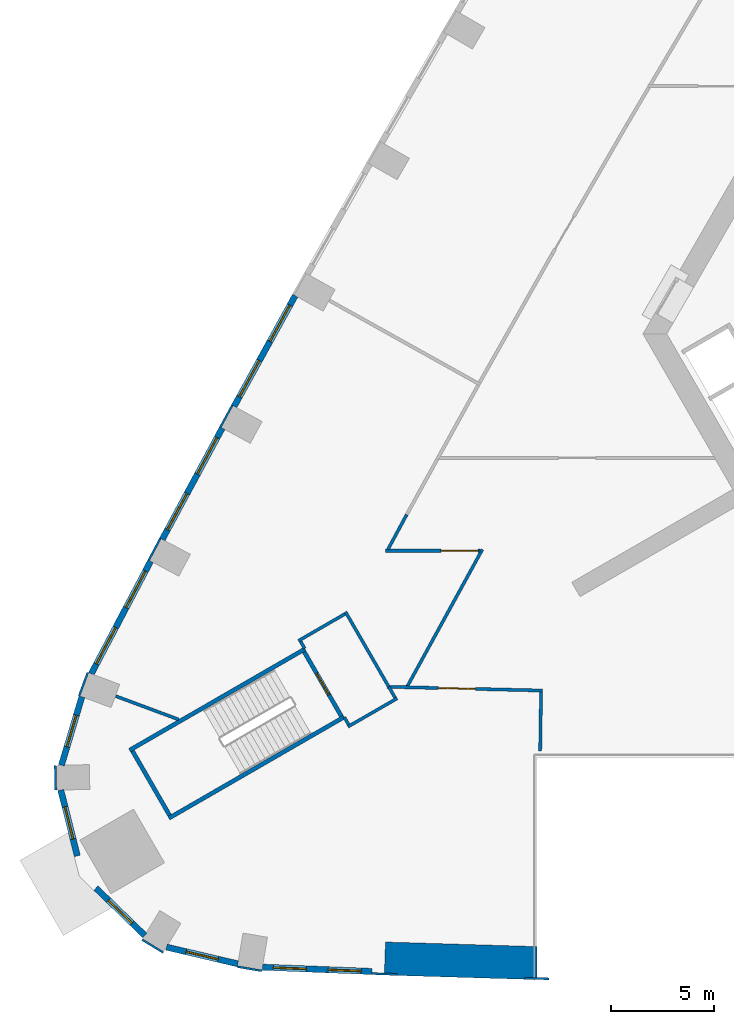
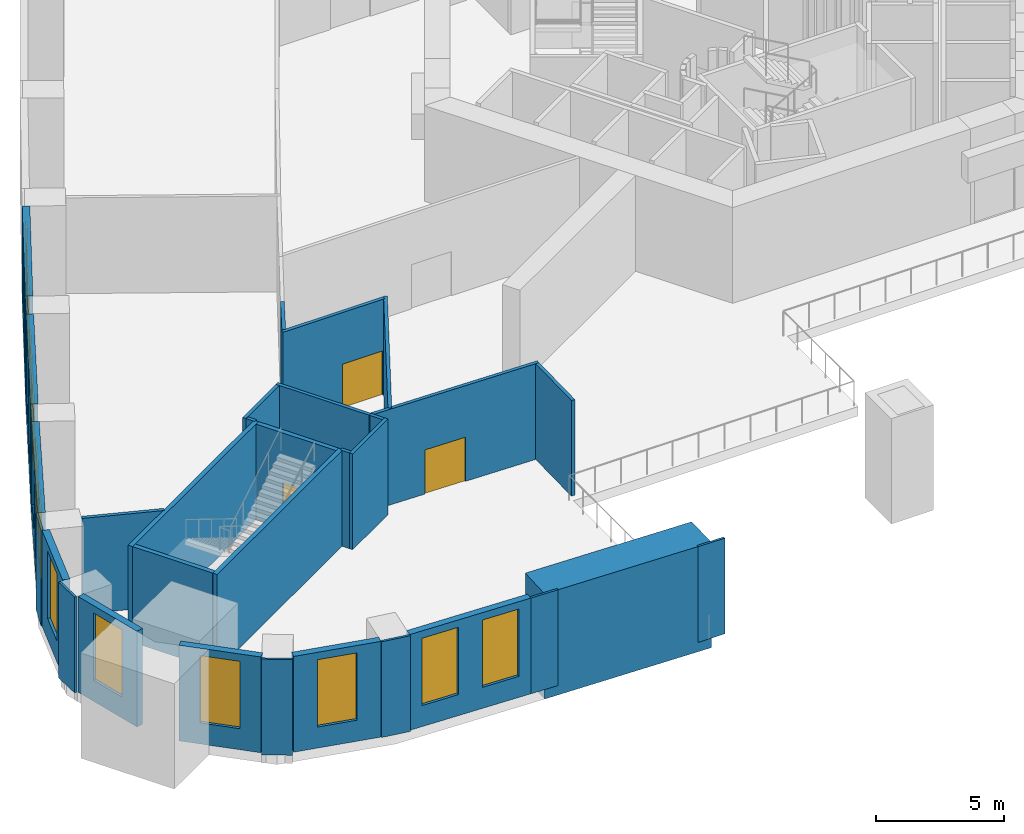
# One storey, part 2 of 16: 33 walls, 12 windows, 3 doors, 15 openings.
"""IFC4 building model written with IfcOpenShell, lengths in metres."""

from ifc_helpers import new_model, si_unit, direction, frame, frame_2d, origin, place, context, subcontext, project, spatial, polyline, rectangle, outline, extrude, material, layer, layer_set, type_object, element, fill, save


model = new_model("IFC4")

# Units and contexts
model_context = context("Model", 3, precision=1e-05, world=origin(), true_north=direction((0.0, 1.0)))
body_context = subcontext(model_context, "Body", "Model", "MODEL_VIEW")
ifc_project = project(units=[si_unit("LENGTHUNIT", "METRE"), si_unit("AREAUNIT", "SQUARE_METRE"), si_unit("VOLUMEUNIT", "CUBIC_METRE"), si_unit("PLANEANGLEUNIT", "RADIAN"), si_unit("MASSUNIT", "GRAM", prefix="KILO")], contexts=[model_context])

# Site, building, storey
site_placement = place(None, origin())
site = spatial("IfcSite", under=ifc_project, at=site_placement, CompositionType="ELEMENT")
building_placement = place(site_placement, origin())
building = spatial("IfcBuilding", under=site, at=building_placement, Name="Entoto Arch Interchange Tower", CompositionType="ELEMENT")
storey_placement = place(building_placement, frame((0.0, 0.0, 25.0)))
storey = spatial("IfcBuildingStorey", under=building, at=storey_placement, Name="L04", CompositionType="ELEMENT", Elevation=25.0)

# Walls
ifc_material_1 = material(Name="Concrete C60/75", Category="concrete")
ifc_layer_1 = layer(ifc_material_1, 1.60009765625)
ifc_layer_set_1 = layer_set([ifc_layer_1], Name="Concrete C60/75")
wall_type_1 = type_object("IfcWallType", Name="Arch leg wall 1600 C60/75", PredefinedType="SHEAR", material=ifc_layer_set_1)
wall_1_placement = place(storey_placement, frame((0.0, 0.0, -0.449951171875)))
element("IfcWall", 1, at=wall_1_placement, inside=storey, type_object=wall_type_1, Name="Arch leg W L04", PredefinedType="SHEAR", context=body_context, shape_type="SweptSolid", body=[
    extrude(outline(polyline([(-26.376953125, -28.5400390625), (-19.0, -28.761962890625), (-18.97607421875, -27.162109375), (-26.321044921875, -26.94091796875), (-26.376953125, -28.5400390625)])), origin(), (0.0, 0.0, 1.0), 5.0),
])
ifc_material_2 = material(Name="Gypsum board partition on steel studs", Category="steel")
ifc_layer_2 = layer(ifc_material_2, 0.14990234375)
ifc_layer_set_2 = layer_set([ifc_layer_2], Name="Gypsum board partition on steel studs")
wall_type_2 = type_object("IfcWallType", Name="PARTITION 150", PredefinedType="PARTITIONING", material=ifc_layer_set_2)
wall_2_placement = place(storey_placement, frame((-39.3779296875, -15.037109375, 0.0), z_axis=(0.0, 0.0, 1.0), x_axis=(0.937400028274, -0.348254485961, 0.0)))
element("IfcWall", 2, at=wall_2_placement, inside=storey, type_object=wall_type_2, Name="wall:L04:p032", PredefinedType="PARTITIONING", context=body_context, shape_type="SweptSolid", body=[
    extrude(rectangle(XDim=3.247314453125, YDim=0.14990234375, at=frame_2d((1.62353515625, 0.0))), origin(), (0.0, 0.0, 1.0), 4.550048828125),
])
wall_3_placement = place(storey_placement, frame((-28.30908203125, -16.06689453125, 0.0), z_axis=(0.0, 0.0, 1.0), x_axis=(0.499546646484, -0.86628698939, 0.0)))
element("IfcWall", 3, at=wall_3_placement, inside=storey, type_object=wall_type_2, Name="wall:L04:p033", PredefinedType="PARTITIONING", context=body_context, shape_type="SweptSolid", body=[
    extrude(rectangle(XDim=0.400634765625, YDim=0.14990234375, at=frame_2d((0.2001953125, 0.0))), origin(), (0.0, 0.0, 1.0), 4.550048828125),
])
wall_4_placement = place(storey_placement, frame((-28.136962890625, -16.51611328125, 0.0), z_axis=(0.0, 0.0, 1.0), x_axis=(0.866225489901, 0.499653280431, 0.0)))
element("IfcWall", 4, at=wall_4_placement, inside=storey, type_object=wall_type_2, Name="wall:L04:p034", PredefinedType="PARTITIONING", context=body_context, shape_type="SweptSolid", body=[
    extrude(rectangle(XDim=2.75, YDim=0.14990234375, at=frame_2d((1.375, 0.0))), origin(), (0.0, 0.0, 1.0), 4.550048828125),
])
wall_5_placement = place(storey_placement, frame((-25.85693359375, -15.114013671875, 0.0), z_axis=(0.0, 0.0, 1.0), x_axis=(-0.500357623318, 0.865818831389, 0.0)))
element("IfcWall", 5, at=wall_5_placement, inside=storey, type_object=wall_type_2, Name="wall:L04:p035", PredefinedType="PARTITIONING", context=body_context, shape_type="SweptSolid", body=[
    extrude(rectangle(XDim=0.60986328125, YDim=0.14990234375, at=frame_2d((0.304931640625, 0.0))), origin(), (0.0, 0.0, 1.0), 4.550048828125),
])

# Wall, opening, door
wall_6_placement = place(storey_placement, frame((-26.236083984375, -14.583984375, 0.0), z_axis=(0.0, 0.0, 1.0), x_axis=(0.999706920069, -0.024208964564, 0.0)))
wall_6 = element("IfcWall", 6, at=wall_6_placement, inside=storey, type_object=wall_type_2, Name="wall:L04:p036", PredefinedType="PARTITIONING", context=body_context, shape_type="SweptSolid", body=[
    extrude(rectangle(XDim=7.523193359375, YDim=0.14990234375, at=frame_2d((3.76171875, 0.0))), origin(), (0.0, 0.0, 1.0), 4.550048828125),
])
opening_1_placement = place(wall_6_placement, frame((2.468994140625, 0.0, 0.0)))
opening_1 = element("IfcOpeningElement", 7, at=opening_1_placement, cuts=wall_6, Name="Opening L04-D05", PredefinedType="OPENING", context=body_context, shape_type="SweptSolid", body=[
    extrude(rectangle(XDim=1.800048828125, YDim=2.10009765625, at=frame_2d((0.89990234375, 1.050048828125))), frame((0.0, 0.0849609375, 0.0), z_axis=(0.0, -1.0, 0.0), x_axis=(1.0, 0.0, 0.0)), (0.0, 0.0, 1.0), 0.169921875),
])
ifc_material_3 = material(Name="Timber door leaf in Steel S235 frame", Category="steel")
door_type_1 = type_object("IfcDoorType", Name="DOOR DD-18 1800x2100", OperationType="DOUBLE_DOOR_SINGLE_SWING", PredefinedType="DOOR", material=ifc_material_3)
door_1_placement = place(opening_1_placement, origin())
door_1 = element("IfcDoor", 8, at=door_1_placement, inside=storey, type_object=door_type_1, Name="door:L04:05", OperationType="DOUBLE_DOOR_SINGLE_SWING", OverallHeight=2.10009765625, OverallWidth=1.800048828125, PredefinedType="DOOR", context=body_context, shape_type="SweptSolid", body=[
    extrude(rectangle(XDim=1.800048828125, YDim=2.10009765625, at=frame_2d((0.89990234375, 1.050048828125))), frame((0.0, 0.02490234375, 0.0), z_axis=(0.0, -1.0, 0.0), x_axis=(1.0, 0.0, 0.0)), (0.0, 0.0, 1.0), 0.050048828125),
])
fill(opening_1, door_1)

# Walls
wall_7_placement = place(storey_placement, frame((-18.791015625, -14.839111328125, 0.0), z_axis=(0.0, 0.0, 1.0), x_axis=(-0.015017934076, -0.999887224469, 0.0)))
element("IfcWall", 9, at=wall_7_placement, inside=storey, type_object=wall_type_2, Name="wall:L04:p037", PredefinedType="PARTITIONING", context=body_context, shape_type="SweptSolid", body=[
    extrude(rectangle(XDim=2.861083984375, YDim=0.14990234375, at=frame_2d((1.4306640625, 0.0))), origin(), (0.0, 0.0, 1.0), 4.550048828125),
])
wall_8_placement = place(storey_placement, frame((-26.162109375, -14.5859375, 0.0), z_axis=(0.0, 0.0, 1.0), x_axis=(-0.500142678011, 0.865943012924, 0.0)))
element("IfcWall", 10, at=wall_8_placement, inside=storey, type_object=wall_type_2, Name="wall:L04:p076", PredefinedType="PARTITIONING", context=body_context, shape_type="SweptSolid", body=[
    extrude(rectangle(XDim=4.190673828125, YDim=0.14990234375, at=frame_2d((2.09521484375, 0.0))), origin(), (0.0, 0.0, 1.0), 4.550048828125),
])
wall_9_placement = place(storey_placement, frame((-28.284912109375, -11.05908203125, 0.0), z_axis=(0.0, 0.0, 1.0), x_axis=(-0.866108986466, -0.499855202596, 0.0)))
element("IfcWall", 11, at=wall_9_placement, inside=storey, type_object=wall_type_2, Name="wall:L04:p077", PredefinedType="PARTITIONING", context=body_context, shape_type="SweptSolid", body=[
    extrude(rectangle(XDim=2.600341796875, YDim=0.14990234375, at=frame_2d((1.30029296875, 0.0))), origin(), (0.0, 0.0, 1.0), 4.550048828125),
])
wall_10_placement = place(storey_placement, frame((-30.43408203125, -12.386962890625, 0.0), z_axis=(0.0, 0.0, 1.0), x_axis=(0.500867716848, -0.865523847285, 0.0)))
element("IfcWall", 12, at=wall_10_placement, inside=storey, type_object=wall_type_2, Name="wall:L04:p078", PredefinedType="PARTITIONING", context=body_context, shape_type="SweptSolid", body=[
    extrude(rectangle(XDim=0.399658203125, YDim=0.14990234375, at=frame_2d((0.19970703125, 0.0))), origin(), (0.0, 0.0, 1.0), 4.550048828125),
])
wall_11_placement = place(storey_placement, frame((-25.2939453125, -6.248046875, 0.0), z_axis=(0.0, 0.0, 1.0), x_axis=(-0.474533012185, -0.880237706728, 0.0)))
element("IfcWall", 13, at=wall_11_placement, inside=storey, type_object=wall_type_2, Name="wall:L04:p079", PredefinedType="PARTITIONING", context=body_context, shape_type="SweptSolid", body=[
    extrude(rectangle(XDim=1.91552734375, YDim=0.14990234375, at=frame_2d((0.957763671875, 0.0))), origin(), (0.0, 0.0, 1.0), 4.550048828125),
])

# Wall, opening, door
wall_12_placement = place(storey_placement, frame((-26.31396484375, -8.0, 0.0), z_axis=(0.0, 0.0, 1.0), x_axis=(1.0, 0.0, 0.0)))
wall_12 = element("IfcWall", 14, at=wall_12_placement, inside=storey, type_object=wall_type_2, Name="wall:L04:p080", PredefinedType="PARTITIONING", context=body_context, shape_type="SweptSolid", body=[
    extrude(rectangle(XDim=4.571044921875, YDim=0.14990234375, at=frame_2d((2.28564453125, 0.0))), origin(), (0.0, 0.0, 1.0), 4.550048828125),
])
opening_2_placement = place(wall_12_placement, frame((2.6708984375, 0.0, 0.0)))
opening_2 = element("IfcOpeningElement", 15, at=opening_2_placement, cuts=wall_12, Name="Opening L04-D13", PredefinedType="OPENING", context=body_context, shape_type="SweptSolid", body=[
    extrude(rectangle(XDim=1.800048828125, YDim=2.10009765625, at=frame_2d((0.89990234375, 1.050048828125))), frame((0.0, 0.0849609375, 0.0), z_axis=(0.0, -1.0, 0.0), x_axis=(1.0, 0.0, 0.0)), (0.0, 0.0, 1.0), 0.169921875),
])
door_2_placement = place(opening_2_placement, origin())
door_2 = element("IfcDoor", 16, at=door_2_placement, inside=storey, type_object=door_type_1, Name="door:L04:13", OperationType="DOUBLE_DOOR_SINGLE_SWING", OverallHeight=2.10009765625, OverallWidth=1.800048828125, PredefinedType="DOOR", context=body_context, shape_type="SweptSolid", body=[
    extrude(rectangle(XDim=1.800048828125, YDim=2.10009765625, at=frame_2d((0.89990234375, 1.050048828125))), frame((0.0, 0.02490234375, 0.0), z_axis=(0.0, -1.0, 0.0), x_axis=(1.0, 0.0, 0.0)), (0.0, 0.0, 1.0), 0.050048828125),
])
fill(opening_2, door_2)

# Walls
wall_13_placement = place(storey_placement, frame((-21.632080078125, -7.93408203125, 0.0), z_axis=(0.0, 0.0, 1.0), x_axis=(-0.480597861754, -0.876941101373, 0.0)))
element("IfcWall", 17, at=wall_13_placement, inside=storey, type_object=wall_type_2, Name="wall:L04:p081", PredefinedType="PARTITIONING", context=body_context, shape_type="SweptSolid", body=[
    extrude(rectangle(XDim=7.609130859375, YDim=0.14990234375, at=frame_2d((3.8046875, 0.0))), origin(), (0.0, 0.0, 1.0), 4.550048828125),
])
ifc_material_4 = material(Name="Concrete C40/50", Category="concrete")
ifc_layer_3 = layer(ifc_material_4, 0.199951171875)
ifc_layer_set_3 = layer_set([ifc_layer_3], Name="Concrete C40/50")
wall_type_3 = type_object("IfcWallType", Name="STAIR ENCLOSURE WALL 200", PredefinedType="STANDARD", material=ifc_layer_set_3)
for number, where, z_axis, x_axis, name in (
    (18, (-30.221923828125, -12.7548828125, 0.0), (0.0, 0.0, 1.0), (-0.866019227021, -0.500010698315, 0.0), "Stair wall PST-SW left"),
    (19, (-28.322021484375, -16.044921875, 0.0), (0.0, 0.0, 1.0), (-0.866019227021, -0.500010698315, 0.0), "Stair wall PST-SW right"),
):
    element("IfcWall", number, at=place(storey_placement, frame(where, z_axis=z_axis, x_axis=x_axis)), inside=storey, type_object=wall_type_3, Name=name, PredefinedType="STANDARD", context=body_context, shape_type="SweptSolid", body=[
        extrude(rectangle(XDim=9.800048828125, YDim=0.199951171875, at=frame_2d((4.89990234375, 0.0))), origin(), (0.0, 0.0, 1.0), 4.550048828125),
    ])

# Wall, opening, door
wall_14_placement = place(storey_placement, frame((-30.258056640625, -12.89111328125, 0.0), z_axis=(0.0, 0.0, 1.0), x_axis=(0.499982693035, -0.866035395735, 0.0)))
wall_14 = element("IfcWall", 20, at=wall_14_placement, inside=storey, type_object=wall_type_3, Name="Stair wall PST-SW near", PredefinedType="STANDARD", context=body_context, shape_type="SweptSolid", body=[
    extrude(rectangle(XDim=3.600341796875, YDim=0.199951171875, at=frame_2d((1.80029296875, 0.0))), origin(), (0.0, 0.0, 1.0), 4.550048828125),
])
opening_3_placement = place(wall_14_placement, frame((1.199951171875, 0.0, 0.0)))
opening_3 = element("IfcOpeningElement", 21, at=opening_3_placement, cuts=wall_14, Name="Opening SD-PST-SW-L04", PredefinedType="OPENING", context=body_context, shape_type="SweptSolid", body=[
    extrude(rectangle(XDim=1.199951171875, YDim=2.199951171875, at=frame_2d((0.60009765625, 1.10009765625))), frame((0.0, 0.10986328125, 0.0), z_axis=(0.0, -1.0, 0.0), x_axis=(1.0, 0.0, 0.0)), (0.0, 0.0, 1.0), 0.219970703125),
])
ifc_material_5 = material(Name="Steel S235", Category="steel")
door_type_2 = type_object("IfcDoorType", Name="STAIR DOOR SD2 1200x2200", OperationType="SINGLE_SWING_LEFT", PredefinedType="DOOR", material=ifc_material_5)
door_3_placement = place(opening_3_placement, origin())
door_3 = element("IfcDoor", 22, at=door_3_placement, inside=storey, type_object=door_type_2, Name="Stair door PST-SW L04", OperationType="SINGLE_SWING_LEFT", OverallHeight=2.199951171875, OverallWidth=1.199951171875, PredefinedType="DOOR", context=body_context, shape_type="SweptSolid", body=[
    extrude(rectangle(XDim=1.199951171875, YDim=2.199951171875, at=frame_2d((0.60009765625, 1.10009765625))), frame((0.0, 0.02490234375, 0.0), z_axis=(0.0, -1.0, 0.0), x_axis=(1.0, 0.0, 0.0)), (0.0, 0.0, 1.0), 0.050048828125),
])
fill(opening_3, door_3)

# Wall
wall_15_placement = place(storey_placement, frame((-38.572021484375, -17.69091796875, 0.0), z_axis=(0.0, 0.0, 1.0), x_axis=(0.49995333141, -0.866052346231, 0.0)))
element("IfcWall", 23, at=wall_15_placement, inside=storey, type_object=wall_type_3, Name="Stair wall PST-SW far", PredefinedType="STANDARD", context=body_context, shape_type="SweptSolid", body=[
    extrude(rectangle(XDim=3.600341796875, YDim=0.199951171875, at=frame_2d((1.80029296875, 0.0))), origin(), (0.0, 0.0, 1.0), 4.550048828125),
])

# Wall, openings, windows
ifc_material_6 = material(Name="Welded tuff (ignimbrite) cladding, warm buff", Category="masonry")
ifc_layer_4 = layer(ifc_material_6, 0.300048828125)
ifc_layer_set_4 = layer_set([ifc_layer_4], Name="Welded tuff (ignimbrite) cladding, warm buff")
wall_type_4 = type_object("IfcWallType", Name="STONE INFILL WALL 300", PredefinedType="STANDARD", material=ifc_layer_set_4)
wall_16_placement = place(storey_placement, frame((-32.281982421875, -28.158935546875, 0.0), z_axis=(0.0, 0.0, 1.0), x_axis=(0.999234205654, -0.039128023863, 0.0)))
wall_16 = element("IfcWall", 24, at=wall_16_placement, inside=storey, type_object=wall_type_4, Name="Facade wall S-01 L04", PredefinedType="STANDARD", context=body_context, shape_type="SweptSolid", body=[
    extrude(rectangle(XDim=5.316162109375, YDim=0.300048828125, at=frame_2d((2.658203125, 0.0))), origin(), (0.0, 0.0, 1.0), 4.550048828125),
])
opening_4_placement = place(wall_16_placement, frame((0.529052734375, 0.0, 1.0)))
opening_4 = element("IfcOpeningElement", 25, at=opening_4_placement, cuts=wall_16, Name="Opening WP-C", PredefinedType="OPENING", context=body_context, shape_type="SweptSolid", body=[
    extrude(rectangle(XDim=1.60009765625, YDim=3.199951171875, at=frame_2d((0.800048828125, 1.60009765625))), frame((0.0, 0.16015625, 0.0), z_axis=(0.0, -1.0, 0.0), x_axis=(1.0, 0.0, 0.0)), (0.0, 0.0, 1.0), 0.320068359375),
])
opening_5_placement = place(wall_16_placement, frame((3.18701171875, 0.0, 1.0)))
opening_5 = element("IfcOpeningElement", 26, at=opening_5_placement, cuts=wall_16, Name="Opening WP-C", PredefinedType="OPENING", context=body_context, shape_type="SweptSolid", body=[
    extrude(rectangle(XDim=1.60009765625, YDim=3.199951171875, at=frame_2d((0.800048828125, 1.60009765625))), frame((0.0, 0.16015625, 0.0), z_axis=(0.0, -1.0, 0.0), x_axis=(1.0, 0.0, 0.0)), (0.0, 0.0, 1.0), 0.320068359375),
])
ifc_material_7 = material(Name="Clear glass, low-e double glazed", Category="glass")
window_type_1 = type_object("IfcWindowType", Name="WINDOW WP-C 1600x3200", PartitioningType="DOUBLE_PANEL_VERTICAL", PredefinedType="WINDOW", material=ifc_material_7)
window_1_placement = place(opening_4_placement, origin())
window_1 = element("IfcWindow", 27, at=window_1_placement, inside=storey, type_object=window_type_1, Name="Window WP-C S-01 L04", OverallHeight=3.199951171875, OverallWidth=1.60009765625, PartitioningType="SINGLE_PANEL", PredefinedType="WINDOW", context=body_context, shape_type="SweptSolid", body=[
    extrude(rectangle(XDim=1.60009765625, YDim=3.199951171875, at=frame_2d((0.800048828125, 1.60009765625))), frame((0.0, 0.030029296875, 0.0), z_axis=(0.0, -1.0, 0.0), x_axis=(1.0, 0.0, 0.0)), (0.0, 0.0, 1.0), 0.06005859375),
])
fill(opening_4, window_1)
window_2_placement = place(opening_5_placement, origin())
window_2 = element("IfcWindow", 28, at=window_2_placement, inside=storey, type_object=window_type_1, Name="Window WP-C S-01 L04", OverallHeight=3.199951171875, OverallWidth=1.60009765625, PartitioningType="SINGLE_PANEL", PredefinedType="WINDOW", context=body_context, shape_type="SweptSolid", body=[
    extrude(rectangle(XDim=1.60009765625, YDim=3.199951171875, at=frame_2d((0.800048828125, 1.60009765625))), frame((0.0, 0.030029296875, 0.0), z_axis=(0.0, -1.0, 0.0), x_axis=(1.0, 0.0, 0.0)), (0.0, 0.0, 1.0), 0.06005859375),
])
fill(opening_5, window_2)

wall_17_placement = place(storey_placement, frame((-30.694091796875, 4.35302734375, 0.0), z_axis=(0.0, 0.0, 1.0), x_axis=(-0.483233380559, -0.875491576152, 0.0)))
wall_17 = element("IfcWall", 29, at=wall_17_placement, inside=storey, type_object=wall_type_4, Name="Facade wall NW-07 L04", PredefinedType="STANDARD", context=body_context, shape_type="SweptSolid", body=[
    extrude(rectangle(XDim=6.121337890625, YDim=0.300048828125, at=frame_2d((3.060546875, 0.0))), origin(), (0.0, 0.0, 1.0), 4.550048828125),
])
opening_6_placement = place(wall_17_placement, frame((0.530029296875, 0.0, 1.0)))
opening_6 = element("IfcOpeningElement", 30, at=opening_6_placement, cuts=wall_17, Name="Opening WP-E", PredefinedType="OPENING", context=body_context, shape_type="SweptSolid", body=[
    extrude(rectangle(XDim=2.0, YDim=3.199951171875, at=frame_2d((1.0, 1.60009765625))), frame((0.0, 0.16015625, 0.0), z_axis=(0.0, -1.0, 0.0), x_axis=(1.0, 0.0, 0.0)), (0.0, 0.0, 1.0), 0.320068359375),
])
opening_7_placement = place(wall_17_placement, frame((3.591064453125, 0.0, 1.0)))
opening_7 = element("IfcOpeningElement", 31, at=opening_7_placement, cuts=wall_17, Name="Opening WP-E", PredefinedType="OPENING", context=body_context, shape_type="SweptSolid", body=[
    extrude(rectangle(XDim=2.0, YDim=3.199951171875, at=frame_2d((1.0, 1.60009765625))), frame((0.0, 0.16015625, 0.0), z_axis=(0.0, -1.0, 0.0), x_axis=(1.0, 0.0, 0.0)), (0.0, 0.0, 1.0), 0.320068359375),
])
window_type_2 = type_object("IfcWindowType", Name="WINDOW WP-E 2000x3200", PartitioningType="DOUBLE_PANEL_VERTICAL", PredefinedType="WINDOW", material=ifc_material_7)
window_3_placement = place(opening_6_placement, origin())
window_3 = element("IfcWindow", 32, at=window_3_placement, inside=storey, type_object=window_type_2, Name="Window WP-E NW-07 L04", OverallHeight=3.199951171875, OverallWidth=2.0, PartitioningType="SINGLE_PANEL", PredefinedType="WINDOW", context=body_context, shape_type="SweptSolid", body=[
    extrude(rectangle(XDim=2.0, YDim=3.199951171875, at=frame_2d((1.0, 1.60009765625))), frame((0.0, 0.030029296875, 0.0), z_axis=(0.0, -1.0, 0.0), x_axis=(1.0, 0.0, 0.0)), (0.0, 0.0, 1.0), 0.06005859375),
])
fill(opening_6, window_3)
window_4_placement = place(opening_7_placement, origin())
window_4 = element("IfcWindow", 33, at=window_4_placement, inside=storey, type_object=window_type_2, Name="Window WP-E NW-07 L04", OverallHeight=3.199951171875, OverallWidth=2.0, PartitioningType="SINGLE_PANEL", PredefinedType="WINDOW", context=body_context, shape_type="SweptSolid", body=[
    extrude(rectangle(XDim=2.0, YDim=3.199951171875, at=frame_2d((1.0, 1.60009765625))), frame((0.0, 0.030029296875, 0.0), z_axis=(0.0, -1.0, 0.0), x_axis=(1.0, 0.0, 0.0)), (0.0, 0.0, 1.0), 0.06005859375),
])
fill(opening_7, window_4)

wall_18_placement = place(storey_placement, frame((-34.22607421875, -2.05810546875, 0.0), z_axis=(0.0, 0.0, 1.0), x_axis=(-0.474584950749, -0.880209704856, 0.0)))
wall_18 = element("IfcWall", 34, at=wall_18_placement, inside=storey, type_object=wall_type_4, Name="Facade wall NW-08 L04", PredefinedType="STANDARD", context=body_context, shape_type="SweptSolid", body=[
    extrude(rectangle(XDim=6.12109375, YDim=0.300048828125, at=frame_2d((3.060546875, 0.0))), origin(), (0.0, 0.0, 1.0), 4.550048828125),
])
opening_8_placement = place(wall_18_placement, frame((0.530029296875, 0.0, 1.0)))
opening_8 = element("IfcOpeningElement", 35, at=opening_8_placement, cuts=wall_18, Name="Opening WP-E", PredefinedType="OPENING", context=body_context, shape_type="SweptSolid", body=[
    extrude(rectangle(XDim=2.0, YDim=3.199951171875, at=frame_2d((1.0, 1.60009765625))), frame((0.0, 0.16015625, 0.0), z_axis=(0.0, -1.0, 0.0), x_axis=(1.0, 0.0, 0.0)), (0.0, 0.0, 1.0), 0.320068359375),
])
opening_9_placement = place(wall_18_placement, frame((3.591064453125, 0.0, 1.0)))
opening_9 = element("IfcOpeningElement", 36, at=opening_9_placement, cuts=wall_18, Name="Opening WP-E", PredefinedType="OPENING", context=body_context, shape_type="SweptSolid", body=[
    extrude(rectangle(XDim=2.0, YDim=3.199951171875, at=frame_2d((1.0, 1.60009765625))), frame((0.0, 0.16015625, 0.0), z_axis=(0.0, -1.0, 0.0), x_axis=(1.0, 0.0, 0.0)), (0.0, 0.0, 1.0), 0.320068359375),
])
window_5_placement = place(opening_8_placement, origin())
window_5 = element("IfcWindow", 37, at=window_5_placement, inside=storey, type_object=window_type_2, Name="Window WP-E NW-08 L04", OverallHeight=3.199951171875, OverallWidth=2.0, PartitioningType="SINGLE_PANEL", PredefinedType="WINDOW", context=body_context, shape_type="SweptSolid", body=[
    extrude(rectangle(XDim=2.0, YDim=3.199951171875, at=frame_2d((1.0, 1.60009765625))), frame((0.0, 0.030029296875, 0.0), z_axis=(0.0, -1.0, 0.0), x_axis=(1.0, 0.0, 0.0)), (0.0, 0.0, 1.0), 0.06005859375),
])
fill(opening_8, window_5)
window_6_placement = place(opening_9_placement, origin())
window_6 = element("IfcWindow", 38, at=window_6_placement, inside=storey, type_object=window_type_2, Name="Window WP-E NW-08 L04", OverallHeight=3.199951171875, OverallWidth=2.0, PartitioningType="SINGLE_PANEL", PredefinedType="WINDOW", context=body_context, shape_type="SweptSolid", body=[
    extrude(rectangle(XDim=2.0, YDim=3.199951171875, at=frame_2d((1.0, 1.60009765625))), frame((0.0, 0.030029296875, 0.0), z_axis=(0.0, -1.0, 0.0), x_axis=(1.0, 0.0, 0.0)), (0.0, 0.0, 1.0), 0.06005859375),
])
fill(opening_9, window_6)

wall_19_placement = place(storey_placement, frame((-37.695068359375, -8.5029296875, 0.0), z_axis=(0.0, 0.0, 1.0), x_axis=(-0.466125129602, -0.884718804792, 0.0)))
wall_19 = element("IfcWall", 39, at=wall_19_placement, inside=storey, type_object=wall_type_4, Name="Facade wall NW-09 L04", PredefinedType="STANDARD", context=body_context, shape_type="SweptSolid", body=[
    extrude(rectangle(XDim=6.16357421875, YDim=0.300048828125, at=frame_2d((3.081787109375, 0.0))), origin(), (0.0, 0.0, 1.0), 4.550048828125),
])
opening_10_placement = place(wall_19_placement, frame((0.541015625, 0.0, 1.0)))
opening_10 = element("IfcOpeningElement", 40, at=opening_10_placement, cuts=wall_19, Name="Opening WP-E", PredefinedType="OPENING", context=body_context, shape_type="SweptSolid", body=[
    extrude(rectangle(XDim=2.0, YDim=3.199951171875, at=frame_2d((1.0, 1.60009765625))), frame((0.0, 0.16015625, 0.0), z_axis=(0.0, -1.0, 0.0), x_axis=(1.0, 0.0, 0.0)), (0.0, 0.0, 1.0), 0.320068359375),
])
opening_11_placement = place(wall_19_placement, frame((3.623046875, 0.0, 1.0)))
opening_11 = element("IfcOpeningElement", 41, at=opening_11_placement, cuts=wall_19, Name="Opening WP-E", PredefinedType="OPENING", context=body_context, shape_type="SweptSolid", body=[
    extrude(rectangle(XDim=2.0, YDim=3.199951171875, at=frame_2d((1.0, 1.60009765625))), frame((0.0, 0.16015625, 0.0), z_axis=(0.0, -1.0, 0.0), x_axis=(1.0, 0.0, 0.0)), (0.0, 0.0, 1.0), 0.320068359375),
])
window_7_placement = place(opening_10_placement, origin())
window_7 = element("IfcWindow", 42, at=window_7_placement, inside=storey, type_object=window_type_2, Name="Window WP-E NW-09 L04", OverallHeight=3.199951171875, OverallWidth=2.0, PartitioningType="SINGLE_PANEL", PredefinedType="WINDOW", context=body_context, shape_type="SweptSolid", body=[
    extrude(rectangle(XDim=2.0, YDim=3.199951171875, at=frame_2d((1.0, 1.60009765625))), frame((0.0, 0.030029296875, 0.0), z_axis=(0.0, -1.0, 0.0), x_axis=(1.0, 0.0, 0.0)), (0.0, 0.0, 1.0), 0.06005859375),
])
fill(opening_10, window_7)
window_8_placement = place(opening_11_placement, origin())
window_8 = element("IfcWindow", 43, at=window_8_placement, inside=storey, type_object=window_type_2, Name="Window WP-E NW-09 L04", OverallHeight=3.199951171875, OverallWidth=2.0, PartitioningType="SINGLE_PANEL", PredefinedType="WINDOW", context=body_context, shape_type="SweptSolid", body=[
    extrude(rectangle(XDim=2.0, YDim=3.199951171875, at=frame_2d((1.0, 1.60009765625))), frame((0.0, 0.030029296875, 0.0), z_axis=(0.0, -1.0, 0.0), x_axis=(1.0, 0.0, 0.0)), (0.0, 0.0, 1.0), 0.06005859375),
])
fill(opening_11, window_8)

# Wall, opening, window
wall_20_placement = place(storey_placement, frame((-41.02197265625, -15.06591796875, 0.0), z_axis=(0.0, 0.0, 1.0), x_axis=(-0.285800575124, -0.958289116738, 0.0)))
wall_20 = element("IfcWall", 44, at=wall_20_placement, inside=storey, type_object=wall_type_4, Name="Facade wall SW-01 L04", PredefinedType="STANDARD", context=body_context, shape_type="SweptSolid", body=[
    extrude(rectangle(XDim=3.46044921875, YDim=0.300048828125, at=frame_2d((1.730224609375, 0.0))), origin(), (0.0, 0.0, 1.0), 4.550048828125),
])
opening_12_placement = place(wall_20_placement, frame((0.929931640625, 0.0, 1.0)))
opening_12 = element("IfcOpeningElement", 45, at=opening_12_placement, cuts=wall_20, Name="Opening WP-C", PredefinedType="OPENING", context=body_context, shape_type="SweptSolid", body=[
    extrude(rectangle(XDim=1.60009765625, YDim=3.199951171875, at=frame_2d((0.800048828125, 1.60009765625))), frame((0.0, 0.16015625, 0.0), z_axis=(0.0, -1.0, 0.0), x_axis=(1.0, 0.0, 0.0)), (0.0, 0.0, 1.0), 0.320068359375),
])
window_9_placement = place(opening_12_placement, origin())
window_9 = element("IfcWindow", 46, at=window_9_placement, inside=storey, type_object=window_type_1, Name="Window WP-C SW-01 L04", OverallHeight=3.199951171875, OverallWidth=1.60009765625, PartitioningType="SINGLE_PANEL", PredefinedType="WINDOW", context=body_context, shape_type="SweptSolid", body=[
    extrude(rectangle(XDim=1.60009765625, YDim=3.199951171875, at=frame_2d((0.800048828125, 1.60009765625))), frame((0.0, 0.030029296875, 0.0), z_axis=(0.0, -1.0, 0.0), x_axis=(1.0, 0.0, 0.0)), (0.0, 0.0, 1.0), 0.06005859375),
])
fill(opening_12, window_9)

wall_21_placement = place(storey_placement, frame((-42.0439453125, -19.5810546875, 0.0), z_axis=(0.0, 0.0, 1.0), x_axis=(0.244315836028, -0.969695711172, 0.0)))
wall_21 = element("IfcWall", 47, at=wall_21_placement, inside=storey, type_object=wall_type_4, Name="Facade wall SW-02 L04", PredefinedType="STANDARD", context=body_context, shape_type="SweptSolid", body=[
    extrude(rectangle(XDim=3.29052734375, YDim=0.300048828125, at=frame_2d((1.645263671875, 0.0))), origin(), (0.0, 0.0, 1.0), 4.550048828125),
])
opening_13_placement = place(wall_21_placement, frame((0.844970703125, 0.0, 1.0)))
opening_13 = element("IfcOpeningElement", 48, at=opening_13_placement, cuts=wall_21, Name="Opening WP-C", PredefinedType="OPENING", context=body_context, shape_type="SweptSolid", body=[
    extrude(rectangle(XDim=1.60009765625, YDim=3.199951171875, at=frame_2d((0.800048828125, 1.60009765625))), frame((0.0, 0.16015625, 0.0), z_axis=(0.0, -1.0, 0.0), x_axis=(1.0, 0.0, 0.0)), (0.0, 0.0, 1.0), 0.320068359375),
])
window_10_placement = place(opening_13_placement, origin())
window_10 = element("IfcWindow", 49, at=window_10_placement, inside=storey, type_object=window_type_1, Name="Window WP-C SW-02 L04", OverallHeight=3.199951171875, OverallWidth=1.60009765625, PartitioningType="SINGLE_PANEL", PredefinedType="WINDOW", context=body_context, shape_type="SweptSolid", body=[
    extrude(rectangle(XDim=1.60009765625, YDim=3.199951171875, at=frame_2d((0.800048828125, 1.60009765625))), frame((0.0, 0.030029296875, 0.0), z_axis=(0.0, -1.0, 0.0), x_axis=(1.0, 0.0, 0.0)), (0.0, 0.0, 1.0), 0.06005859375),
])
fill(opening_13, window_10)

wall_22_placement = place(storey_placement, frame((-40.341064453125, -24.3291015625, 0.0), z_axis=(0.0, 0.0, 1.0), x_axis=(0.717527250225, -0.696530433782, 0.0)))
wall_22 = element("IfcWall", 50, at=wall_22_placement, inside=storey, type_object=wall_type_4, Name="Facade wall SW-03 L04", PredefinedType="STANDARD", context=body_context, shape_type="SweptSolid", body=[
    extrude(rectangle(XDim=3.29052734375, YDim=0.300048828125, at=frame_2d((1.645263671875, 0.0))), origin(), (0.0, 0.0, 1.0), 4.550048828125),
])
opening_14_placement = place(wall_22_placement, frame((0.844970703125, 0.0, 1.0)))
opening_14 = element("IfcOpeningElement", 51, at=opening_14_placement, cuts=wall_22, Name="Opening WP-C", PredefinedType="OPENING", context=body_context, shape_type="SweptSolid", body=[
    extrude(rectangle(XDim=1.60009765625, YDim=3.199951171875, at=frame_2d((0.800048828125, 1.60009765625))), frame((0.0, 0.16015625, 0.0), z_axis=(0.0, -1.0, 0.0), x_axis=(1.0, 0.0, 0.0)), (0.0, 0.0, 1.0), 0.320068359375),
])
window_11_placement = place(opening_14_placement, origin())
window_11 = element("IfcWindow", 52, at=window_11_placement, inside=storey, type_object=window_type_1, Name="Window WP-C SW-03 L04", OverallHeight=3.199951171875, OverallWidth=1.60009765625, PartitioningType="SINGLE_PANEL", PredefinedType="WINDOW", context=body_context, shape_type="SweptSolid", body=[
    extrude(rectangle(XDim=1.60009765625, YDim=3.199951171875, at=frame_2d((0.800048828125, 1.60009765625))), frame((0.0, 0.030029296875, 0.0), z_axis=(0.0, -1.0, 0.0), x_axis=(1.0, 0.0, 0.0)), (0.0, 0.0, 1.0), 0.06005859375),
])
fill(opening_14, window_11)

wall_23_placement = place(storey_placement, frame((-36.923095703125, -27.18896484375, 0.0), z_axis=(0.0, 0.0, 1.0), x_axis=(0.97357041301, -0.228387063799, 0.0)))
wall_23 = element("IfcWall", 53, at=wall_23_placement, inside=storey, type_object=wall_type_4, Name="Facade wall SW-04 L04", PredefinedType="STANDARD", context=body_context, shape_type="SweptSolid", body=[
    extrude(rectangle(XDim=3.546875, YDim=0.300048828125, at=frame_2d((1.7734375, 0.0))), origin(), (0.0, 0.0, 1.0), 4.550048828125),
])
opening_15_placement = place(wall_23_placement, frame((0.972900390625, 0.0, 1.0)))
opening_15 = element("IfcOpeningElement", 54, at=opening_15_placement, cuts=wall_23, Name="Opening WP-C", PredefinedType="OPENING", context=body_context, shape_type="SweptSolid", body=[
    extrude(rectangle(XDim=1.60009765625, YDim=3.199951171875, at=frame_2d((0.800048828125, 1.60009765625))), frame((0.0, 0.16015625, 0.0), z_axis=(0.0, -1.0, 0.0), x_axis=(1.0, 0.0, 0.0)), (0.0, 0.0, 1.0), 0.320068359375),
])
window_12_placement = place(opening_15_placement, origin())
window_12 = element("IfcWindow", 55, at=window_12_placement, inside=storey, type_object=window_type_1, Name="Window WP-C SW-04 L04", OverallHeight=3.199951171875, OverallWidth=1.60009765625, PartitioningType="SINGLE_PANEL", PredefinedType="WINDOW", context=body_context, shape_type="SweptSolid", body=[
    extrude(rectangle(XDim=1.60009765625, YDim=3.199951171875, at=frame_2d((0.800048828125, 1.60009765625))), frame((0.0, 0.030029296875, 0.0), z_axis=(0.0, -1.0, 0.0), x_axis=(1.0, 0.0, 0.0)), (0.0, 0.0, 1.0), 0.06005859375),
])
fill(opening_15, window_12)

# Walls
ifc_layer_5 = layer(ifc_material_6, 0.10009765625)
ifc_layer_set_5 = layer_set([ifc_layer_5], Name="Welded tuff (ignimbrite) cladding, warm buff")
wall_type_5 = type_object("IfcWallType", Name="STONE PIER CLADDING 100", PredefinedType="STANDARD", material=ifc_layer_set_5)
wall_24_placement = place(storey_placement, frame((-33.741943359375, -0.9560546875, 0.0), z_axis=(0.0, 0.0, 1.0), x_axis=(-0.478267644701, -0.878214131082, 0.0)))
element("IfcWall", 56, at=wall_24_placement, inside=storey, type_object=wall_type_5, Name="Stone pier NW08 L04", PredefinedType="STANDARD", context=body_context, shape_type="SweptSolid", body=[
    extrude(rectangle(XDim=1.2001953125, YDim=0.10009765625, at=frame_2d((0.60009765625, 0.0))), origin(), (0.0, 0.0, 1.0), 4.550048828125),
])
wall_25_placement = place(storey_placement, frame((-37.221923828125, -7.39697265625, 0.0), z_axis=(0.0, 0.0, 1.0), x_axis=(-0.469383408131, -0.882994459876, 0.0)))
element("IfcWall", 57, at=wall_25_placement, inside=storey, type_object=wall_type_5, Name="Stone pier NW09 L04", PredefinedType="STANDARD", context=body_context, shape_type="SweptSolid", body=[
    extrude(rectangle(XDim=1.199462890625, YDim=0.10009765625, at=frame_2d((0.599609375, 0.0))), origin(), (0.0, 0.0, 1.0), 4.550048828125),
])
wall_26_placement = place(storey_placement, frame((-40.735107421875, -13.89306640625, 0.0), z_axis=(0.0, 0.0, 1.0), x_axis=(-0.348268249601, -0.937394914814, 0.0)))
element("IfcWall", 58, at=wall_26_placement, inside=storey, type_object=wall_type_5, Name="Stone pier NW10 L04", PredefinedType="STANDARD", context=body_context, shape_type="SweptSolid", body=[
    extrude(rectangle(XDim=1.2001953125, YDim=0.10009765625, at=frame_2d((0.60009765625, 0.0))), origin(), (0.0, 0.0, 1.0), 4.550048828125),
])
wall_27_placement = place(storey_placement, frame((-33.493896484375, -28.135009765625, 0.0), z_axis=(0.0, 0.0, 1.0), x_axis=(0.986011774526, -0.166675674579, 0.0)))
element("IfcWall", 59, at=wall_27_placement, inside=storey, type_object=wall_type_5, Name="Stone pier S01 L04", PredefinedType="STANDARD", context=body_context, shape_type="SweptSolid", body=[
    extrude(rectangle(XDim=1.19970703125, YDim=0.10009765625, at=frame_2d((0.599853515625, 0.0))), origin(), (0.0, 0.0, 1.0), 4.550048828125),
])
wall_28_placement = place(storey_placement, frame((-26.97509765625, -28.468994140625, 0.0), z_axis=(0.0, 0.0, 1.0), x_axis=(0.999387493042, -0.034994838926, 0.0)))
element("IfcWall", 60, at=wall_28_placement, inside=storey, type_object=wall_type_5, Name="Stone pier S02 L04", PredefinedType="STANDARD", context=body_context, shape_type="SweptSolid", body=[
    extrude(rectangle(XDim=1.199951171875, YDim=0.10009765625, at=frame_2d((0.60009765625, 0.0))), origin(), (0.0, 0.0, 1.0), 4.550048828125),
])
wall_29_placement = place(storey_placement, frame((-19.59912109375, -28.702880859375, 0.0), z_axis=(0.0, 0.0, 1.0), x_axis=(0.999886724523, -0.015051183404, 0.0)))
element("IfcWall", 61, at=wall_29_placement, inside=storey, type_object=wall_type_5, Name="Stone pier S03 L04", PredefinedType="STANDARD", context=body_context, shape_type="SweptSolid", body=[
    extrude(rectangle(XDim=1.200439453125, YDim=0.10009765625, at=frame_2d((0.60009765625, 0.0))), origin(), (0.0, 0.0, 1.0), 4.550048828125),
])
for number, where, z_axis, x_axis, name in (
    (62, (-42.31201171875, -18.387939453125, 0.0), (0.0, 0.0, 1.0), (0.023391359968, -0.999726384707, 0.0), "Stone pier SW1 L04"),
    (63, (-38.10595703125, -26.825927734375, 0.0), (0.0, 0.0, 1.0), (0.854716608594, -0.519094903649, 0.0), "Stone pier SW3 L04"),
):
    element("IfcWall", number, at=place(storey_placement, frame(where, z_axis=z_axis, x_axis=x_axis)), inside=storey, type_object=wall_type_5, Name=name, PredefinedType="STANDARD", context=body_context, shape_type="SweptSolid", body=[
        extrude(rectangle(XDim=1.2001953125, YDim=0.10009765625, at=frame_2d((0.60009765625, 0.0))), origin(), (0.0, 0.0, 1.0), 4.550048828125),
    ])

save(model, "model.ifc")
